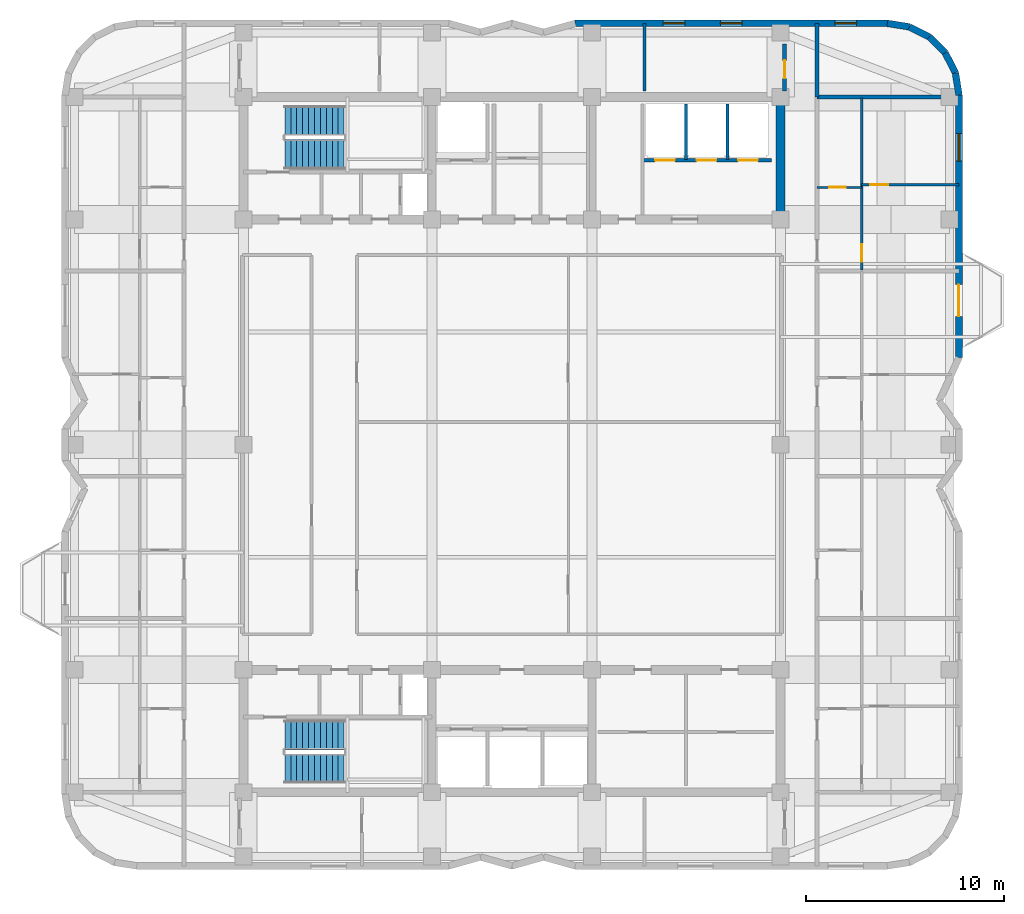
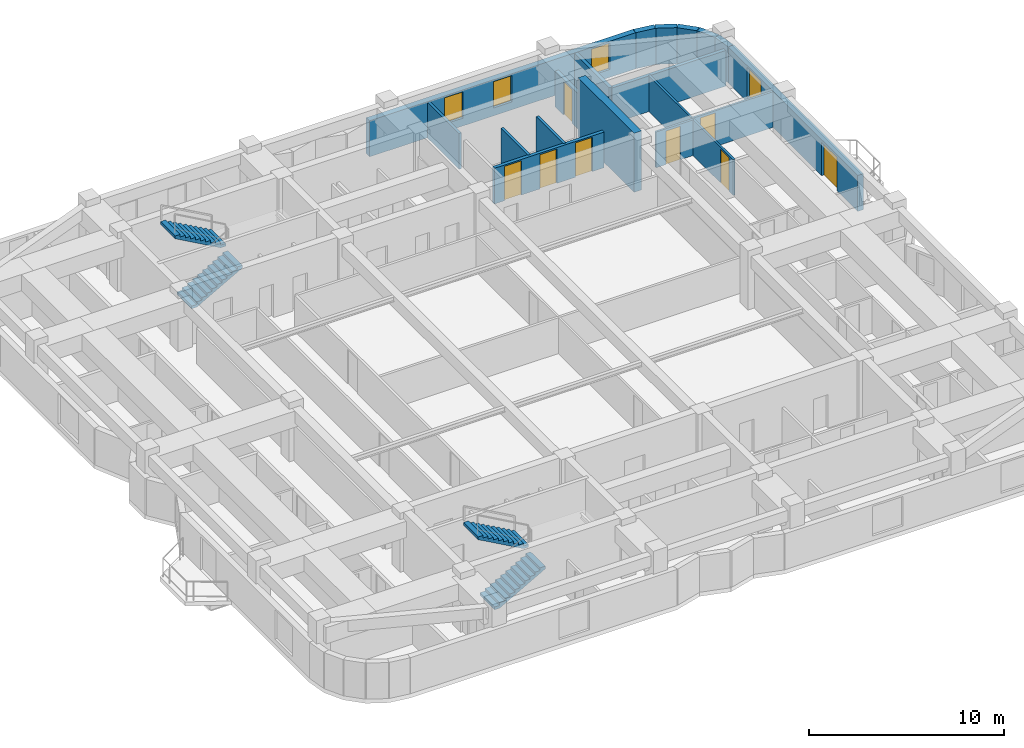
# One storey, part 7 of 9: 18 walls, 8 doors, 4 stair flights, 4 windows, 12 openings, 2 elements without a shape of their own.
"""IFC4 building model written with IfcOpenShell, lengths in metres."""

from ifc_helpers import new_model, si_unit, direction, frame, frame_2d, origin, place, context, subcontext, project, spatial, polyline, rectangle, outline, extrude, material, layer, layer_set, type_object, element, fill, aggregate, save


model = new_model("IFC4")

# Units and contexts
model_context = context("Model", 3, precision=1e-05, world=origin(), true_north=direction((0.0, 1.0)))
body_context = subcontext(model_context, "Body", "Model", "MODEL_VIEW")
ifc_project = project(units=[si_unit("LENGTHUNIT", "METRE"), si_unit("AREAUNIT", "SQUARE_METRE"), si_unit("VOLUMEUNIT", "CUBIC_METRE"), si_unit("PLANEANGLEUNIT", "RADIAN"), si_unit("MASSUNIT", "GRAM", prefix="KILO")], contexts=[model_context])

# Site, building, storey
site_placement = place(None, origin())
site = spatial("IfcSite", under=ifc_project, at=site_placement, CompositionType="ELEMENT")
building_placement = place(site_placement, origin())
building = spatial("IfcBuilding", under=site, at=building_placement, Name="Svetorya Sky Lyceum", CompositionType="ELEMENT")
storey_placement = place(building_placement, frame((0.0, 0.0, 222.10009765625)))
storey = spatial("IfcBuildingStorey", under=building, at=storey_placement, Name="L55", CompositionType="ELEMENT", Elevation=222.10009765625)

# Wall
ifc_material_1 = material(Name="Concrete C50/60", Category="concrete")
ifc_layer_1 = layer(ifc_material_1, 0.449951171875)
ifc_layer_set_1 = layer_set([ifc_layer_1], Name="Concrete C50/60")
wall_type_1 = type_object("IfcWallType", Name="WL-CORE-450", PredefinedType="SHEAR", material=ifc_layer_set_1)
wall_1_placement = place(storey_placement, frame((52.800048828125, 39.824951171875, 0.0), z_axis=(0.0, 0.0, 1.0), x_axis=(0.0, 1.0, 0.0)))
element("IfcWall", 1, at=wall_1_placement, inside=storey, type_object=wall_type_1, Name="L55 NC East Core Shear Wall", PredefinedType="SHEAR", context=body_context, shape_type="SweptSolid", body=[
    extrude(rectangle(XDim=5.75, YDim=0.449951171875, at=frame_2d((2.875, 0.0))), origin(), (0.0, 0.0, 1.0), 3.699951171875),
])

# Wall, openings, door, window
ifc_material_2 = material(Name="Putilovo limestone rainscreen on autoclaved cellular masonry", Category="masonry")
ifc_layer_2 = layer(ifc_material_2, 0.340087890625)
ifc_layer_set_2 = layer_set([ifc_layer_2], Name="Putilovo limestone rainscreen on autoclaved cellular masonry")
wall_type_2 = type_object("IfcWallType", Name="WL-EXT-340", PredefinedType="SOLIDWALL", material=ifc_layer_set_2)
wall_2_placement = place(storey_placement, frame((61.830078125, 32.60009765625, 0.0), z_axis=(0.0, 0.0, 1.0), x_axis=(0.0, 1.0, 0.0)))
wall_2 = element("IfcWall", 2, at=wall_2_placement, inside=storey, type_object=wall_type_2, Name="L55 Limestone Exterior Wall 23M", PredefinedType="SOLIDWALL", context=body_context, shape_type="SweptSolid", body=[
    extrude(rectangle(XDim=13.2998046875, YDim=0.340087890625, at=frame_2d((6.64990234375, 0.0))), origin(), (0.0, 0.0, 1.0), 2.260009765625),
])
opening_1_placement = place(wall_2_placement, frame((2.10009765625, 0.0, 0.0)))
opening_1 = element("IfcOpeningElement", 3, at=opening_1_placement, cuts=wall_2, Name="Opening D-BL1", PredefinedType="OPENING", context=body_context, shape_type="SweptSolid", body=[
    extrude(rectangle(XDim=1.60009765625, YDim=2.10009765625, at=frame_2d((0.800048828125, 1.050048828125))), frame((0.0, 0.179931640625, 0.0), z_axis=(0.0, -1.0, 0.0), x_axis=(1.0, 0.0, 0.0)), (0.0, 0.0, 1.0), 0.360107421875),
])
opening_2_placement = place(wall_2_placement, frame((9.949951171875, 0.0, 0.300048828125)))
opening_2 = element("IfcOpeningElement", 4, at=opening_2_placement, cuts=wall_2, Name="Opening W-R2", PredefinedType="OPENING", context=body_context, shape_type="SweptSolid", body=[
    extrude(rectangle(XDim=1.39990234375, YDim=1.85009765625, at=frame_2d((0.699951171875, 0.925048828125))), frame((0.0, 0.179931640625, 0.0), z_axis=(0.0, -1.0, 0.0), x_axis=(1.0, 0.0, 0.0)), (0.0, 0.0, 1.0), 0.360107421875),
])
ifc_material_3 = material(Name="Insulated glazed aluminium balcony door", Category="aluminium")
door_type_1 = type_object("IfcDoorType", Name="DR-BAL-1600", OperationType="DOUBLE_DOOR_SINGLE_SWING", PredefinedType="DOOR", material=ifc_material_3)
door_1_placement = place(opening_1_placement, origin())
door_1 = element("IfcDoor", 5, at=door_1_placement, inside=storey, type_object=door_type_1, Name="L55 Balcony BAL-E1 Door", OperationType="DOUBLE_DOOR_SINGLE_SWING", OverallHeight=2.10009765625, OverallWidth=1.60009765625, PredefinedType="DOOR", context=body_context, shape_type="SweptSolid", body=[
    extrude(rectangle(XDim=1.60009765625, YDim=2.10009765625, at=frame_2d((0.800048828125, 1.050048828125))), frame((0.0, 0.02490234375, 0.0), z_axis=(0.0, -1.0, 0.0), x_axis=(1.0, 0.0, 0.0)), (0.0, 0.0, 1.0), 0.050048828125),
])
fill(opening_1, door_1)
ifc_material_4 = material(Name="Thermally broken aluminium frame with triple low-E glazing", Category="aluminium")
window_type_1 = type_object("IfcWindowType", Name="WN-RES-140", PartitioningType="SINGLE_PANEL", PredefinedType="WINDOW", material=ifc_material_4)
window_1_placement = place(opening_2_placement, origin())
window_1 = element("IfcWindow", 6, at=window_1_placement, inside=storey, type_object=window_type_1, Name="L55 Facade Window W-R2.23M.1", OverallHeight=1.85009765625, OverallWidth=1.39990234375, PartitioningType="SINGLE_PANEL", PredefinedType="WINDOW", context=body_context, shape_type="SweptSolid", body=[
    extrude(rectangle(XDim=1.39990234375, YDim=1.85009765625, at=frame_2d((0.699951171875, 0.925048828125))), frame((0.0, 0.030029296875, 0.0), z_axis=(0.0, -1.0, 0.0), x_axis=(1.0, 0.0, 0.0)), (0.0, 0.0, 1.0), 0.06005859375),
])
fill(opening_2, window_1)

# Walls
for number, where, z_axis, x_axis, name in (
    (7, (61.830078125, 45.89990234375, 0.0), (0.0, 0.0, 1.0), (-0.156481329164, 0.987680916907, 0.0), "L55 Limestone Exterior Wall 24M"),
    (8, (61.65234375, 47.021728515625, 0.0), (0.0, 0.0, 1.0), (-0.453993402883, 0.891005044957, 0.0), "L55 Limestone Exterior Wall 25M"),
):
    element("IfcWall", number, at=place(storey_placement, frame(where, z_axis=z_axis, x_axis=x_axis)), inside=storey, type_object=wall_type_2, Name=name, PredefinedType="SOLIDWALL", context=body_context, shape_type="SweptSolid", body=[
        extrude(rectangle(XDim=1.1357421875, YDim=0.340087890625, at=frame_2d((0.56787109375, 0.0))), origin(), (0.0, 0.0, 1.0), 2.260009765625),
    ])
wall_3_placement = place(storey_placement, frame((61.13671875, 48.03369140625, 0.0), z_axis=(0.0, 0.0, 1.0), x_axis=(-0.707106781187, 0.707106781187, 0.0)))
element("IfcWall", 9, at=wall_3_placement, inside=storey, type_object=wall_type_2, Name="L55 Limestone Exterior Wall 26M", PredefinedType="SOLIDWALL", context=body_context, shape_type="SweptSolid", body=[
    extrude(rectangle(XDim=1.135498046875, YDim=0.340087890625, at=frame_2d((0.56787109375, 0.0))), origin(), (0.0, 0.0, 1.0), 2.260009765625),
])
for number, where, z_axis, x_axis, name in (
    (10, (60.333740234375, 48.836669921875, 0.0), (0.0, 0.0, 1.0), (-0.891005044957, 0.453993402883, 0.0), "L55 Limestone Exterior Wall 27M"),
    (11, (59.32177734375, 49.352294921875, 0.0), (0.0, 0.0, 1.0), (-0.987680916907, 0.156481329164, 0.0), "L55 Limestone Exterior Wall 28M"),
):
    element("IfcWall", number, at=place(storey_placement, frame(where, z_axis=z_axis, x_axis=x_axis)), inside=storey, type_object=wall_type_2, Name=name, PredefinedType="SOLIDWALL", context=body_context, shape_type="SweptSolid", body=[
        extrude(rectangle(XDim=1.1357421875, YDim=0.340087890625, at=frame_2d((0.56787109375, 0.0))), origin(), (0.0, 0.0, 1.0), 2.260009765625),
    ])

# Wall, openings, windows
wall_4_placement = place(storey_placement, frame((58.199951171875, 49.530029296875, 0.0), z_axis=(0.0, 0.0, 1.0), x_axis=(-1.0, 0.0, 0.0)))
wall_4 = element("IfcWall", 12, at=wall_4_placement, inside=storey, type_object=wall_type_2, Name="L55 Limestone Exterior Wall 29M", PredefinedType="SOLIDWALL", context=body_context, shape_type="SweptSolid", body=[
    extrude(rectangle(XDim=15.800048828125, YDim=0.340087890625, at=frame_2d((7.89990234375, 0.0))), origin(), (0.0, 0.0, 1.0), 2.260009765625),
])
opening_3_placement = place(wall_4_placement, frame((1.550048828125, 0.0, 0.489990234375)))
opening_3 = element("IfcOpeningElement", 13, at=opening_3_placement, cuts=wall_4, Name="Opening W-R3", PredefinedType="OPENING", context=body_context, shape_type="SweptSolid", body=[
    extrude(rectangle(XDim=1.10009765625, YDim=1.64990234375, at=frame_2d((0.550048828125, 0.824951171875))), frame((0.0, 0.179931640625, 0.0), z_axis=(0.0, -1.0, 0.0), x_axis=(1.0, 0.0, 0.0)), (0.0, 0.0, 1.0), 0.360107421875),
])
opening_4_placement = place(wall_4_placement, frame((7.35009765625, 0.0, 0.489990234375)))
opening_4 = element("IfcOpeningElement", 14, at=opening_4_placement, cuts=wall_4, Name="Opening W-R3", PredefinedType="OPENING", context=body_context, shape_type="SweptSolid", body=[
    extrude(rectangle(XDim=1.10009765625, YDim=1.64990234375, at=frame_2d((0.550048828125, 0.824951171875))), frame((0.0, 0.179931640625, 0.0), z_axis=(0.0, -1.0, 0.0), x_axis=(1.0, 0.0, 0.0)), (0.0, 0.0, 1.0), 0.360107421875),
])
opening_5_placement = place(wall_4_placement, frame((10.25, 0.0, 0.489990234375)))
opening_5 = element("IfcOpeningElement", 15, at=opening_5_placement, cuts=wall_4, Name="Opening W-R3", PredefinedType="OPENING", context=body_context, shape_type="SweptSolid", body=[
    extrude(rectangle(XDim=1.10009765625, YDim=1.64990234375, at=frame_2d((0.550048828125, 0.824951171875))), frame((0.0, 0.179931640625, 0.0), z_axis=(0.0, -1.0, 0.0), x_axis=(1.0, 0.0, 0.0)), (0.0, 0.0, 1.0), 0.360107421875),
])
window_type_2 = type_object("IfcWindowType", Name="WN-RES-110", PartitioningType="SINGLE_PANEL", PredefinedType="WINDOW", material=ifc_material_4)
window_2_placement = place(opening_3_placement, origin())
window_2 = element("IfcWindow", 16, at=window_2_placement, inside=storey, type_object=window_type_2, Name="L55 Facade Window W-R3.29M.1", OverallHeight=1.64990234375, OverallWidth=1.10009765625, PartitioningType="SINGLE_PANEL", PredefinedType="WINDOW", context=body_context, shape_type="SweptSolid", body=[
    extrude(rectangle(XDim=1.10009765625, YDim=1.64990234375, at=frame_2d((0.550048828125, 0.824951171875))), frame((0.0, 0.030029296875, 0.0), z_axis=(0.0, -1.0, 0.0), x_axis=(1.0, 0.0, 0.0)), (0.0, 0.0, 1.0), 0.06005859375),
])
fill(opening_3, window_2)
window_3_placement = place(opening_4_placement, origin())
window_3 = element("IfcWindow", 17, at=window_3_placement, inside=storey, type_object=window_type_2, Name="L55 Facade Window W-R3.29M.2", OverallHeight=1.64990234375, OverallWidth=1.10009765625, PartitioningType="SINGLE_PANEL", PredefinedType="WINDOW", context=body_context, shape_type="SweptSolid", body=[
    extrude(rectangle(XDim=1.10009765625, YDim=1.64990234375, at=frame_2d((0.550048828125, 0.824951171875))), frame((0.0, 0.030029296875, 0.0), z_axis=(0.0, -1.0, 0.0), x_axis=(1.0, 0.0, 0.0)), (0.0, 0.0, 1.0), 0.06005859375),
])
fill(opening_4, window_3)
window_4_placement = place(opening_5_placement, origin())
window_4 = element("IfcWindow", 18, at=window_4_placement, inside=storey, type_object=window_type_2, Name="L55 Facade Window W-R3.29M.3", OverallHeight=1.64990234375, OverallWidth=1.10009765625, PartitioningType="SINGLE_PANEL", PredefinedType="WINDOW", context=body_context, shape_type="SweptSolid", body=[
    extrude(rectangle(XDim=1.10009765625, YDim=1.64990234375, at=frame_2d((0.550048828125, 0.824951171875))), frame((0.0, 0.030029296875, 0.0), z_axis=(0.0, -1.0, 0.0), x_axis=(1.0, 0.0, 0.0)), (0.0, 0.0, 1.0), 0.06005859375),
])
fill(opening_5, window_4)

# Wall, opening, door
ifc_material_5 = material(Name="Twin-stud galvanized framing with double fireboard", Category="gypsum")
ifc_layer_3 = layer(ifc_material_5, 0.1201171875)
ifc_layer_set_3 = layer_set([ifc_layer_3], Name="Twin-stud galvanized framing with double fireboard")
wall_type_3 = type_object("IfcWallType", Name="WL-PART-120", PredefinedType="PARTITIONING", material=ifc_layer_set_3)
wall_5_placement = place(storey_placement, frame((54.64990234375, 41.219970703125, 0.0), z_axis=(0.0, 0.0, 1.0), x_axis=(1.0, 0.0, 0.0)))
wall_5 = element("IfcWall", 19, at=wall_5_placement, inside=storey, type_object=wall_type_3, Name="L55 Interior Partition E4-WH1", PredefinedType="PARTITIONING", context=body_context, shape_type="SweptSolid", body=[
    extrude(rectangle(XDim=2.25, YDim=0.1201171875, at=frame_2d((1.125, 0.0))), origin(), (0.0, 0.0, 1.0), 2.239990234375),
])
opening_6_placement = place(wall_5_placement, frame((0.60009765625, 0.0, 0.0)))
opening_6 = element("IfcOpeningElement", 20, at=opening_6_placement, cuts=wall_5, Name="Opening D-BT1", PredefinedType="OPENING", context=body_context, shape_type="SweptSolid", body=[
    extrude(rectangle(XDim=0.85009765625, YDim=2.10009765625, at=frame_2d((0.425048828125, 1.050048828125))), frame((0.0, 0.070068359375, 0.0), z_axis=(0.0, -1.0, 0.0), x_axis=(1.0, 0.0, 0.0)), (0.0, 0.0, 1.0), 0.14013671875),
])
ifc_material_6 = material(Name="Moisture-resistant laminate bathroom door")
door_type_2 = type_object("IfcDoorType", Name="DR-WET-850", OperationType="SINGLE_SWING_LEFT", PredefinedType="DOOR", material=ifc_material_6)
door_2_placement = place(opening_6_placement, origin())
door_2 = element("IfcDoor", 21, at=door_2_placement, inside=storey, type_object=door_type_2, Name="Apartment E4 Bathroom Door", OperationType="SINGLE_SWING_LEFT", OverallHeight=2.10009765625, OverallWidth=0.85009765625, PredefinedType="DOOR", context=body_context, shape_type="SweptSolid", body=[
    extrude(rectangle(XDim=0.85009765625, YDim=2.10009765625, at=frame_2d((0.425048828125, 1.050048828125))), frame((0.0, 0.02490234375, 0.0), z_axis=(0.0, -1.0, 0.0), x_axis=(1.0, 0.0, 0.0)), (0.0, 0.0, 1.0), 0.050048828125),
])
fill(opening_6, door_2)

wall_6_placement = place(storey_placement, frame((56.89990234375, 41.35009765625, 0.0), z_axis=(0.0, 0.0, 1.0), x_axis=(1.0, 0.0, 0.0)))
wall_6 = element("IfcWall", 22, at=wall_6_placement, inside=storey, type_object=wall_type_3, Name="L55 Interior Partition E4-WL1", PredefinedType="PARTITIONING", context=body_context, shape_type="SweptSolid", body=[
    extrude(rectangle(XDim=4.93017578125, YDim=0.1201171875, at=frame_2d((2.465087890625, 0.0))), origin(), (0.0, 0.0, 1.0), 2.239990234375),
])
opening_7_placement = place(wall_6_placement, frame((0.449951171875, 0.0, 0.0)))
opening_7 = element("IfcOpeningElement", 23, at=opening_7_placement, cuts=wall_6, Name="Opening D-RM1", PredefinedType="OPENING", context=body_context, shape_type="SweptSolid", body=[
    extrude(rectangle(XDim=0.89990234375, YDim=2.10009765625, at=frame_2d((0.449951171875, 1.050048828125))), frame((0.0, 0.070068359375, 0.0), z_axis=(0.0, -1.0, 0.0), x_axis=(1.0, 0.0, 0.0)), (0.0, 0.0, 1.0), 0.14013671875),
])
ifc_material_7 = material(Name="Lacquered birch veneer internal door")
door_type_3 = type_object("IfcDoorType", Name="DR-INT-900", OperationType="SINGLE_SWING_LEFT", PredefinedType="DOOR", material=ifc_material_7)
door_3_placement = place(opening_7_placement, origin())
door_3 = element("IfcDoor", 24, at=door_3_placement, inside=storey, type_object=door_type_3, Name="Apartment E4 Bedroom 1 Door", OperationType="SINGLE_SWING_LEFT", OverallHeight=2.10009765625, OverallWidth=0.89990234375, PredefinedType="DOOR", context=body_context, shape_type="SweptSolid", body=[
    extrude(rectangle(XDim=0.89990234375, YDim=2.10009765625, at=frame_2d((0.449951171875, 1.050048828125))), frame((0.0, 0.02490234375, 0.0), z_axis=(0.0, -1.0, 0.0), x_axis=(1.0, 0.0, 0.0)), (0.0, 0.0, 1.0), 0.050048828125),
])
fill(opening_7, door_3)

wall_7_placement = place(storey_placement, frame((56.89990234375, 37.0400390625, 0.0), z_axis=(0.0, 0.0, 1.0), x_axis=(0.0, 1.0, 0.0)))
wall_7 = element("IfcWall", 25, at=wall_7_placement, inside=storey, type_object=wall_type_3, Name="L55 Interior Partition E4-WV", PredefinedType="PARTITIONING", context=body_context, shape_type="SweptSolid", body=[
    extrude(rectangle(XDim=8.719970703125, YDim=0.1201171875, at=frame_2d((4.35986328125, 0.0))), origin(), (0.0, 0.0, 1.0), 2.239990234375),
])
opening_8_placement = place(wall_7_placement, frame((0.409912109375, 0.0, 0.0)))
opening_8 = element("IfcOpeningElement", 26, at=opening_8_placement, cuts=wall_7, Name="Opening D-RM1", PredefinedType="OPENING", context=body_context, shape_type="SweptSolid", body=[
    extrude(rectangle(XDim=0.89990234375, YDim=2.10009765625, at=frame_2d((0.449951171875, 1.050048828125))), frame((0.0, 0.070068359375, 0.0), z_axis=(0.0, -1.0, 0.0), x_axis=(1.0, 0.0, 0.0)), (0.0, 0.0, 1.0), 0.14013671875),
])
door_4_placement = place(opening_8_placement, origin())
door_4 = element("IfcDoor", 27, at=door_4_placement, inside=storey, type_object=door_type_3, Name="Apartment E4 Living Door", OperationType="SINGLE_SWING_RIGHT", OverallHeight=2.10009765625, OverallWidth=0.89990234375, PredefinedType="DOOR", context=body_context, shape_type="SweptSolid", body=[
    extrude(rectangle(XDim=0.89990234375, YDim=2.10009765625, at=frame_2d((0.449951171875, 1.050048828125))), frame((0.0, 0.02490234375, 0.0), z_axis=(0.0, -1.0, 0.0), x_axis=(1.0, 0.0, 0.0)), (0.0, 0.0, 1.0), 0.050048828125),
])
fill(opening_8, door_4)

# Walls
ifc_material_8 = material(Name="Autoclaved cellular masonry blockwork with acoustic render", Category="masonry")
ifc_layer_4 = layer(ifc_material_8, 0.14990234375)
ifc_layer_set_4 = layer_set([ifc_layer_4], Name="Autoclaved cellular masonry blockwork with acoustic render")
wall_type_4 = type_object("IfcWallType", Name="WL-PART-150", PredefinedType="PARTITIONING", material=ifc_layer_set_4)
for number, where, z_axis, x_axis, name in (
    (28, (48.0, 42.64990234375, 0.0), (0.0, 0.0, 1.0), (0.0, 1.0, 0.0), "L55 Interior Partition NC-PH-D1"),
    (29, (50.10009765625, 42.64990234375, 0.0), (0.0, 0.0, 1.0), (0.0, 1.0, 0.0), "L55 Interior Partition NC-PH-D2"),
):
    element("IfcWall", number, at=place(storey_placement, frame(where, z_axis=z_axis, x_axis=x_axis)), inside=storey, type_object=wall_type_4, Name=name, PredefinedType="PARTITIONING", context=body_context, shape_type="SweptSolid", body=[
        extrude(rectangle(XDim=2.800048828125, YDim=0.14990234375, at=frame_2d((1.39990234375, 0.0))), origin(), (0.0, 0.0, 1.0), 2.239990234375),
    ])
wall_8_placement = place(storey_placement, frame((45.89990234375, 46.10009765625, 0.0), z_axis=(0.0, 0.0, 1.0), x_axis=(0.0, 1.0, 0.0)))
element("IfcWall", 30, at=wall_8_placement, inside=storey, type_object=wall_type_4, Name="L55 Interior Partition N-D2", PredefinedType="PARTITIONING", context=body_context, shape_type="SweptSolid", body=[
    extrude(rectangle(XDim=3.429931640625, YDim=0.14990234375, at=frame_2d((1.71484375, 0.0))), origin(), (0.0, 0.0, 1.0), 2.239990234375),
])

# Wall, openings, doors
ifc_material_9 = material(Name="Autoclaved cellular masonry blockwork with gypsum plaster", Category="masonry")
ifc_layer_5 = layer(ifc_material_9, 0.199951171875)
ifc_layer_set_5 = layer_set([ifc_layer_5], Name="Autoclaved cellular masonry blockwork with gypsum plaster")
wall_type_5 = type_object("IfcWallType", Name="WL-PART-200", PredefinedType="PARTITIONING", material=ifc_layer_set_5)
wall_9_placement = place(storey_placement, frame((52.35009765625, 42.60009765625, 0.0), z_axis=(0.0, 0.0, 1.0), x_axis=(-1.0, 0.0, 0.0)))
wall_9 = element("IfcWall", 31, at=wall_9_placement, inside=storey, type_object=wall_type_5, Name="L55 Interior Partition NC-PHEW", PredefinedType="PARTITIONING", context=body_context, shape_type="SweptSolid", body=[
    extrude(rectangle(XDim=6.5, YDim=0.199951171875, at=frame_2d((3.25, 0.0))), origin(), (0.0, 0.0, 1.0), 2.239990234375),
])
opening_9_placement = place(wall_9_placement, frame((4.89990234375, 0.0, 0.0)))
opening_9 = element("IfcOpeningElement", 32, at=opening_9_placement, cuts=wall_9, Name="Opening LD-P1", PredefinedType="OPENING", context=body_context, shape_type="SweptSolid", body=[
    extrude(rectangle(XDim=1.0, YDim=2.14990234375, at=frame_2d((0.5, 1.074951171875))), frame((0.0, 0.10986328125, 0.0), z_axis=(0.0, -1.0, 0.0), x_axis=(1.0, 0.0, 0.0)), (0.0, 0.0, 1.0), 0.219970703125),
])
opening_10_placement = place(wall_9_placement, frame((2.800048828125, 0.0, 0.0)))
opening_10 = element("IfcOpeningElement", 33, at=opening_10_placement, cuts=wall_9, Name="Opening LD-P1", PredefinedType="OPENING", context=body_context, shape_type="SweptSolid", body=[
    extrude(rectangle(XDim=1.0, YDim=2.14990234375, at=frame_2d((0.5, 1.074951171875))), frame((0.0, 0.10986328125, 0.0), z_axis=(0.0, -1.0, 0.0), x_axis=(1.0, 0.0, 0.0)), (0.0, 0.0, 1.0), 0.219970703125),
])
opening_11_placement = place(wall_9_placement, frame((0.699951171875, 0.0, 0.0)))
opening_11 = element("IfcOpeningElement", 34, at=opening_11_placement, cuts=wall_9, Name="Opening LD-P1", PredefinedType="OPENING", context=body_context, shape_type="SweptSolid", body=[
    extrude(rectangle(XDim=1.0, YDim=2.14990234375, at=frame_2d((0.5, 1.074951171875))), frame((0.0, 0.10986328125, 0.0), z_axis=(0.0, -1.0, 0.0), x_axis=(1.0, 0.0, 0.0)), (0.0, 0.0, 1.0), 0.219970703125),
])
ifc_material_10 = material(Name="Champagne-anodized stainless passenger lift landing door")
door_type_4 = type_object("IfcDoorType", Name="DR-LIFT-1000", OperationType="SLIDING_TO_LEFT", PredefinedType="DOOR", material=ifc_material_10)
door_5_placement = place(opening_9_placement, origin())
door_5 = element("IfcDoor", 35, at=door_5_placement, inside=storey, type_object=door_type_4, Name="L55 Passenger Lift PH1 Landing Door", OperationType="SLIDING_TO_LEFT", OverallHeight=2.14990234375, OverallWidth=1.0, PredefinedType="DOOR", context=body_context, shape_type="SweptSolid", body=[
    extrude(rectangle(XDim=1.0, YDim=2.14990234375, at=frame_2d((0.5, 1.074951171875))), frame((0.0, 0.02490234375, 0.0), z_axis=(0.0, -1.0, 0.0), x_axis=(1.0, 0.0, 0.0)), (0.0, 0.0, 1.0), 0.050048828125),
])
fill(opening_9, door_5)
door_6_placement = place(opening_10_placement, origin())
door_6 = element("IfcDoor", 36, at=door_6_placement, inside=storey, type_object=door_type_4, Name="L55 Passenger Lift PH2 Landing Door", OperationType="SLIDING_TO_LEFT", OverallHeight=2.14990234375, OverallWidth=1.0, PredefinedType="DOOR", context=body_context, shape_type="SweptSolid", body=[
    extrude(rectangle(XDim=1.0, YDim=2.14990234375, at=frame_2d((0.5, 1.074951171875))), frame((0.0, 0.02490234375, 0.0), z_axis=(0.0, -1.0, 0.0), x_axis=(1.0, 0.0, 0.0)), (0.0, 0.0, 1.0), 0.050048828125),
])
fill(opening_10, door_6)
door_7_placement = place(opening_11_placement, origin())
door_7 = element("IfcDoor", 37, at=door_7_placement, inside=storey, type_object=door_type_4, Name="L55 Passenger Lift PH3 Landing Door", OperationType="SLIDING_TO_LEFT", OverallHeight=2.14990234375, OverallWidth=1.0, PredefinedType="DOOR", context=body_context, shape_type="SweptSolid", body=[
    extrude(rectangle(XDim=1.0, YDim=2.14990234375, at=frame_2d((0.5, 1.074951171875))), frame((0.0, 0.02490234375, 0.0), z_axis=(0.0, -1.0, 0.0), x_axis=(1.0, 0.0, 0.0)), (0.0, 0.0, 1.0), 0.050048828125),
])
fill(opening_11, door_7)

# Walls
wall_10_placement = place(storey_placement, frame((54.64990234375, 45.800048828125, 0.0), z_axis=(0.0, 0.0, 1.0), x_axis=(1.0, 0.0, 0.0)))
element("IfcWall", 38, at=wall_10_placement, inside=storey, type_object=wall_type_5, Name="L55 Interior Partition E-CAP-N", PredefinedType="PARTITIONING", context=body_context, shape_type="SweptSolid", body=[
    extrude(rectangle(XDim=6.760009765625, YDim=0.199951171875, at=frame_2d((3.3798828125, 0.0))), origin(), (0.0, 0.0, 1.0), 2.239990234375),
])
wall_11_placement = place(storey_placement, frame((54.64990234375, 45.800048828125, 0.0), z_axis=(0.0, 0.0, 1.0), x_axis=(0.0, 1.0, 0.0)))
element("IfcWall", 39, at=wall_11_placement, inside=storey, type_object=wall_type_5, Name="L55 Interior Partition EC-NE-END", PredefinedType="PARTITIONING", context=body_context, shape_type="SweptSolid", body=[
    extrude(rectangle(XDim=3.72998046875, YDim=0.199951171875, at=frame_2d((1.864990234375, 0.0))), origin(), (0.0, 0.0, 1.0), 2.239990234375),
])

# Wall, opening, door
wall_12_placement = place(storey_placement, frame((53.0, 46.10009765625, 0.0), z_axis=(0.0, 0.0, 1.0), x_axis=(0.0, 1.0, 0.0)))
wall_12 = element("IfcWall", 40, at=wall_12_placement, inside=storey, type_object=wall_type_5, Name="L55 Interior Partition N-EE", PredefinedType="PARTITIONING", context=body_context, shape_type="SweptSolid", body=[
    extrude(rectangle(XDim=2.3798828125, YDim=0.199951171875, at=frame_2d((1.18994140625, 0.0))), origin(), (0.0, 0.0, 1.0), 2.239990234375),
])
opening_12_placement = place(wall_12_placement, frame((0.64990234375, 0.0, 0.0)))
opening_12 = element("IfcOpeningElement", 41, at=opening_12_placement, cuts=wall_12, Name="Opening D-RM1", PredefinedType="OPENING", context=body_context, shape_type="SweptSolid", body=[
    extrude(rectangle(XDim=0.89990234375, YDim=2.10009765625, at=frame_2d((0.449951171875, 1.050048828125))), frame((0.0, 0.10986328125, 0.0), z_axis=(0.0, -1.0, 0.0), x_axis=(1.0, 0.0, 0.0)), (0.0, 0.0, 1.0), 0.219970703125),
])
door_8_placement = place(opening_12_placement, origin())
door_8 = element("IfcDoor", 42, at=door_8_placement, inside=storey, type_object=door_type_3, Name="L55 North Meeting Door", OperationType="SINGLE_SWING_LEFT", OverallHeight=2.10009765625, OverallWidth=0.89990234375, PredefinedType="DOOR", context=body_context, shape_type="SweptSolid", body=[
    extrude(rectangle(XDim=0.89990234375, YDim=2.10009765625, at=frame_2d((0.449951171875, 1.050048828125))), frame((0.0, 0.02490234375, 0.0), z_axis=(0.0, -1.0, 0.0), x_axis=(1.0, 0.0, 0.0)), (0.0, 0.0, 1.0), 0.050048828125),
])
fill(opening_12, door_8)

# Stair, stair flights
ifc_material_11 = material(Name="Concrete C40/50", Category="concrete")
stair_type_1 = type_object("IfcStairType", Name="STR-ST-N", PredefinedType="HALF_TURN_STAIR", material=ifc_material_11)
stair_1_placement = place(storey_placement, origin())
stair_1 = element("IfcStair", 43, at=stair_1_placement, inside=storey, type_object=stair_type_1, Name="L55 North Core Smoke-Free Exit Stair N3", PredefinedType="HALF_TURN_STAIR")
stair_flight_type_1 = type_object("IfcStairFlightType", Name="SFL-ST-N", PredefinedType="STRAIGHT", material=ifc_material_11)
stair_flight_1_placement = place(storey_placement, frame((27.699951171875, 42.89990234375, 0.0), z_axis=(0.0, 0.0, 1.0), x_axis=(1.0, 0.0, 0.0)))
stair_flight_1 = element("IfcStairFlight", 44, at=stair_flight_1_placement, type_object=stair_flight_type_1, Name="ST-N flight 1", NumberOfRisers=11, NumberOfTreads=10, PredefinedType="STRAIGHT", RiserHeight=0.168181818, TreadLength=0.3, context=body_context, shape_type="SweptSolid", body=[
    extrude(outline(polyline([(0.0, 0.0), (0.0, 0.168212890625), (0.300048828125, 0.168212890625), (0.300048828125, 0.33642578125), (0.60009765625, 0.33642578125), (0.60009765625, 0.504638671875), (0.89990234375, 0.504638671875), (0.89990234375, 0.672607421875), (1.199951171875, 0.672607421875), (1.199951171875, 0.8408203125), (1.5, 0.8408203125), (1.5, 1.009033203125), (1.800048828125, 1.009033203125), (1.800048828125, 1.17724609375), (2.10009765625, 1.17724609375), (2.10009765625, 1.345458984375), (2.39990234375, 1.345458984375), (2.39990234375, 1.513671875), (2.699951171875, 1.513671875), (2.699951171875, 1.681884765625), (3.0, 1.681884765625), (3.0, 1.85009765625), (3.0, 1.510009765625), (0.306640625, 0.0), (0.0, 0.0)])), frame((0.0, 0.75, 0.0), z_axis=(0.0, -1.0, 0.0), x_axis=(1.0, 0.0, 0.0)), (0.0, 0.0, 1.0), 1.5),
])
stair_flight_2_placement = place(storey_placement, frame((30.699951171875, 44.60009765625, 1.849853515625), z_axis=(0.0, 0.0, 1.0), x_axis=(-1.0, 0.0, 0.0)))
stair_flight_2 = element("IfcStairFlight", 45, at=stair_flight_2_placement, type_object=stair_flight_type_1, Name="ST-N flight 2", NumberOfRisers=11, NumberOfTreads=10, PredefinedType="STRAIGHT", RiserHeight=0.168181818, TreadLength=0.3, context=body_context, shape_type="SweptSolid", body=[
    extrude(outline(polyline([(0.0, 0.0), (0.0, 0.168212890625), (0.300048828125, 0.168212890625), (0.300048828125, 0.33642578125), (0.60009765625, 0.33642578125), (0.60009765625, 0.504638671875), (0.89990234375, 0.504638671875), (0.89990234375, 0.672607421875), (1.199951171875, 0.672607421875), (1.199951171875, 0.8408203125), (1.5, 0.8408203125), (1.5, 1.009033203125), (1.800048828125, 1.009033203125), (1.800048828125, 1.17724609375), (2.10009765625, 1.17724609375), (2.10009765625, 1.345458984375), (2.39990234375, 1.345458984375), (2.39990234375, 1.513671875), (2.699951171875, 1.513671875), (2.699951171875, 1.681884765625), (3.0, 1.681884765625), (3.0, 1.85009765625), (3.0, 1.510009765625), (0.306640625, 0.0), (0.0, 0.0)])), frame((0.0, 0.75, 0.0), z_axis=(0.0, -1.0, 0.0), x_axis=(1.0, 0.0, 0.0)), (0.0, 0.0, 1.0), 1.5),
])
aggregate(stair_1, [stair_flight_1, stair_flight_2])

stair_type_2 = type_object("IfcStairType", Name="STR-ST-S", PredefinedType="HALF_TURN_STAIR", material=ifc_material_11)
stair_2_placement = place(storey_placement, origin())
stair_2 = element("IfcStair", 46, at=stair_2_placement, inside=storey, type_object=stair_type_2, Name="L55 South Core Smoke-Free Exit Stair N2", PredefinedType="HALF_TURN_STAIR")
stair_flight_type_2 = type_object("IfcStairFlightType", Name="SFL-ST-S", PredefinedType="STRAIGHT", material=ifc_material_11)
stair_flight_3_placement = place(storey_placement, frame((27.699951171875, 11.800048828125, 0.0), z_axis=(0.0, 0.0, 1.0), x_axis=(1.0, 0.0, 0.0)))
stair_flight_3 = element("IfcStairFlight", 47, at=stair_flight_3_placement, type_object=stair_flight_type_2, Name="ST-S flight 1", NumberOfRisers=11, NumberOfTreads=10, PredefinedType="STRAIGHT", RiserHeight=0.168181818, TreadLength=0.3, context=body_context, shape_type="SweptSolid", body=[
    extrude(outline(polyline([(0.0, 0.0), (0.0, 0.168212890625), (0.300048828125, 0.168212890625), (0.300048828125, 0.33642578125), (0.60009765625, 0.33642578125), (0.60009765625, 0.504638671875), (0.89990234375, 0.504638671875), (0.89990234375, 0.672607421875), (1.199951171875, 0.672607421875), (1.199951171875, 0.8408203125), (1.5, 0.8408203125), (1.5, 1.009033203125), (1.800048828125, 1.009033203125), (1.800048828125, 1.17724609375), (2.10009765625, 1.17724609375), (2.10009765625, 1.345458984375), (2.39990234375, 1.345458984375), (2.39990234375, 1.513671875), (2.699951171875, 1.513671875), (2.699951171875, 1.681884765625), (3.0, 1.681884765625), (3.0, 1.85009765625), (3.0, 1.510009765625), (0.306640625, 0.0), (0.0, 0.0)])), frame((0.0, 0.75, 0.0), z_axis=(0.0, -1.0, 0.0), x_axis=(1.0, 0.0, 0.0)), (0.0, 0.0, 1.0), 1.5),
])
stair_flight_4_placement = place(storey_placement, frame((30.699951171875, 13.5, 1.849853515625), z_axis=(0.0, 0.0, 1.0), x_axis=(-1.0, 0.0, 0.0)))
stair_flight_4 = element("IfcStairFlight", 48, at=stair_flight_4_placement, type_object=stair_flight_type_2, Name="ST-S flight 2", NumberOfRisers=11, NumberOfTreads=10, PredefinedType="STRAIGHT", RiserHeight=0.168181818, TreadLength=0.3, context=body_context, shape_type="SweptSolid", body=[
    extrude(outline(polyline([(0.0, 0.0), (0.0, 0.168212890625), (0.300048828125, 0.168212890625), (0.300048828125, 0.33642578125), (0.60009765625, 0.33642578125), (0.60009765625, 0.504638671875), (0.89990234375, 0.504638671875), (0.89990234375, 0.672607421875), (1.199951171875, 0.672607421875), (1.199951171875, 0.8408203125), (1.5, 0.8408203125), (1.5, 1.009033203125), (1.800048828125, 1.009033203125), (1.800048828125, 1.17724609375), (2.10009765625, 1.17724609375), (2.10009765625, 1.345458984375), (2.39990234375, 1.345458984375), (2.39990234375, 1.513671875), (2.699951171875, 1.513671875), (2.699951171875, 1.681884765625), (3.0, 1.681884765625), (3.0, 1.85009765625), (3.0, 1.510009765625), (0.306640625, 0.0), (0.0, 0.0)])), frame((0.0, 0.75, 0.0), z_axis=(0.0, -1.0, 0.0), x_axis=(1.0, 0.0, 0.0)), (0.0, 0.0, 1.0), 1.5),
])
aggregate(stair_2, [stair_flight_3, stair_flight_4])

save(model, "model.ifc")
